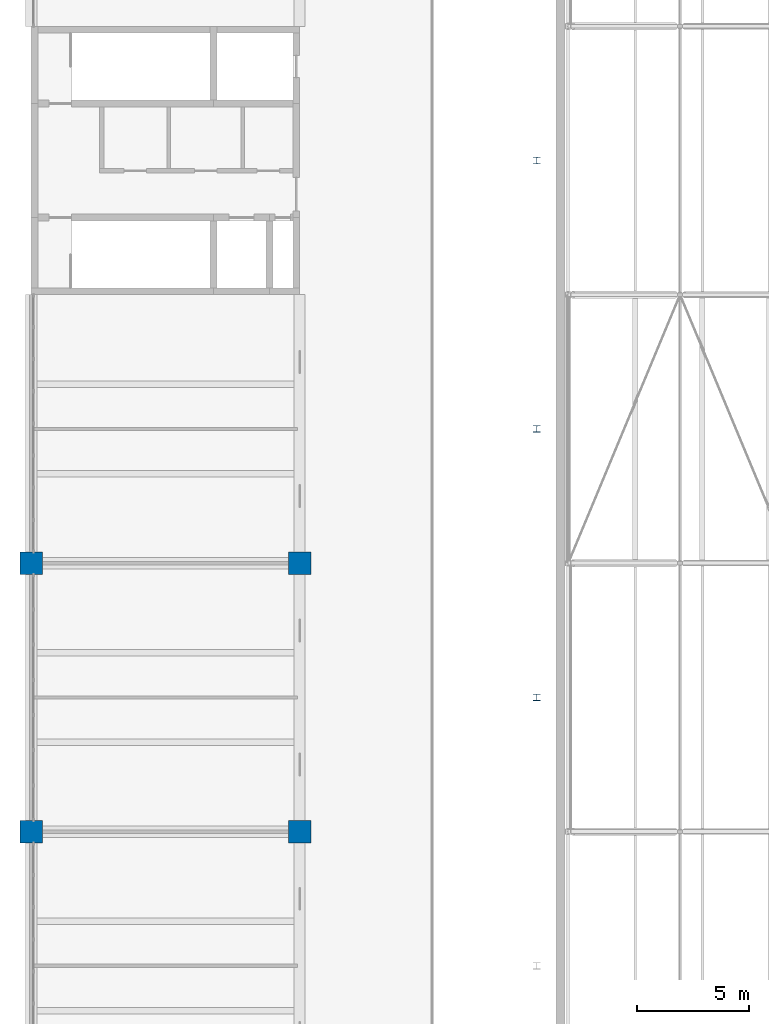
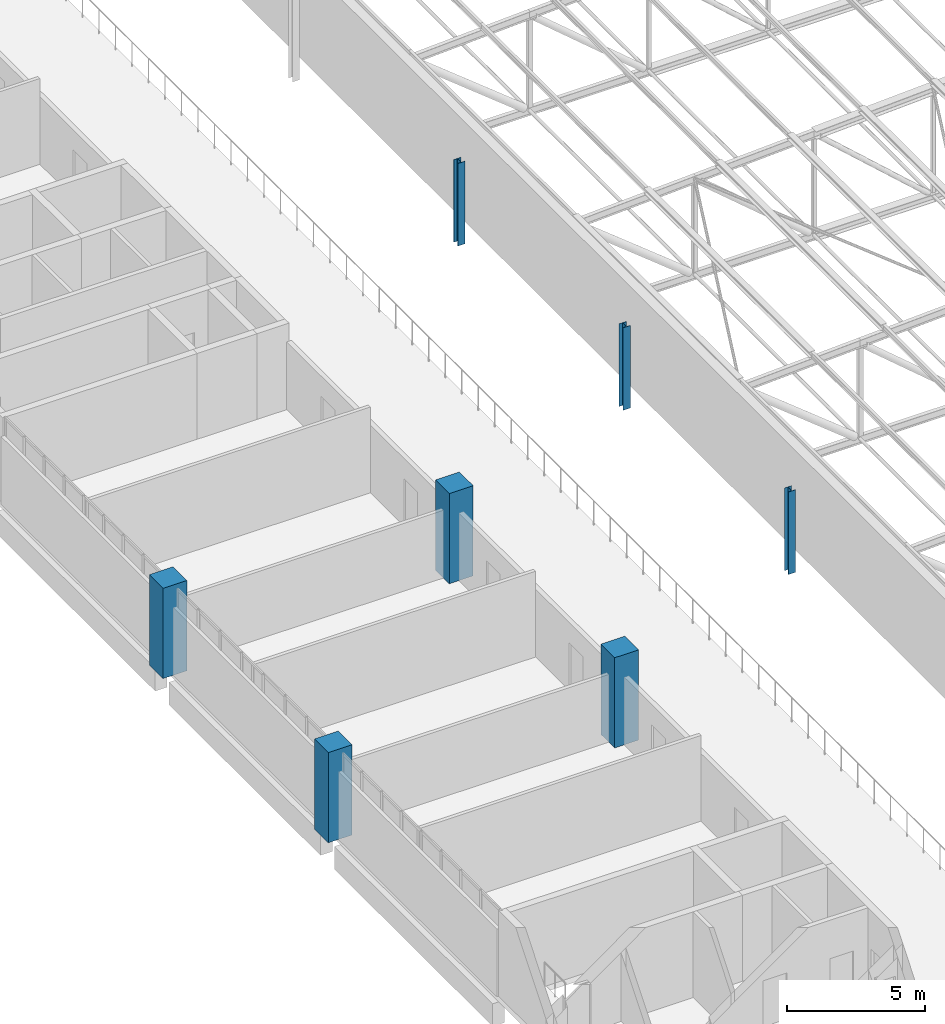
# One storey, part 2 of 156: 7 columns.
"""IFC4 building model written with IfcOpenShell, lengths in metres."""

from ifc_helpers import new_model, si_unit, direction, frame, origin, origin_2d, place, context, subcontext, project, spatial, rectangle, i_section, extrude, material, material_profile, profile_set, type_object, element, save


model = new_model("IFC4")

# Units and contexts
model_context = context("Model", 3, precision=1e-05, world=origin(), true_north=direction((0.0, 1.0)))
body_context = subcontext(model_context, "Body", "Model", "MODEL_VIEW")
ifc_project = project(units=[si_unit("LENGTHUNIT", "METRE"), si_unit("AREAUNIT", "SQUARE_METRE"), si_unit("VOLUMEUNIT", "CUBIC_METRE"), si_unit("PLANEANGLEUNIT", "RADIAN"), si_unit("MASSUNIT", "GRAM", prefix="KILO")], contexts=[model_context])

# Site, building, storey
site_placement = place(None, origin())
site = spatial("IfcSite", under=ifc_project, at=site_placement, CompositionType="ELEMENT")
building_placement = place(site_placement, origin())
building = spatial("IfcBuilding", under=site, at=building_placement, Name="Lilac Gate Convention Centre", CompositionType="ELEMENT")
storey_placement = place(building_placement, frame((0.0, 0.0, 17.0)))
storey = spatial("IfcBuildingStorey", under=building, at=storey_placement, Name="L03", CompositionType="ELEMENT", Elevation=17.0)

# Columns
ifc_material_1 = material(Name="Concrete C40", Category="concrete")
ifc_material_profile_1 = material_profile(ifc_material_1, rectangle(XDim=1.0, YDim=1.0, at=origin_2d()), Name="RC 1000x1000")
ifc_profile_set_1 = profile_set([ifc_material_profile_1], Name="Concrete C40")
column_type_1 = type_object("IfcColumnType", Name="RC column 1000x1000 C40", PredefinedType="COLUMN", material=ifc_profile_set_1)
for number, where, z_axis, x_axis, name in (
    (1, (6.0, 66.0, 0.0), (0.0, 0.0, 1.0), (1.0, 0.0, 0.0), "C1 L03 at 1/D"),
    (2, (6.0, 78.0, 0.0), (0.0, 0.0, 1.0), (1.0, 0.0, 0.0), "C1 L03 at 1/E"),
    (3, (18.0, 66.0, 0.0), (0.0, 0.0, 1.0), (1.0, 0.0, 0.0), "C1 L03 at 2/D"),
    (4, (18.0, 78.0, 0.0), (0.0, 0.0, 1.0), (1.0, 0.0, 0.0), "C1 L03 at 2/E"),
):
    element("IfcColumn", number, at=place(storey_placement, frame(where, z_axis=z_axis, x_axis=x_axis)), inside=storey, type_object=column_type_1, Name=name, PredefinedType="COLUMN", context=body_context, shape_type="SweptSolid", body=[
        extrude(rectangle(XDim=1.0, YDim=1.0, at=origin_2d()), origin(), (0.0, 0.0, 1.0), 4.0),
    ])
ifc_material_2 = material(Name="Steel Q355B", Category="steel")
ifc_material_profile_2 = material_profile(ifc_material_2, i_section(OverallWidth=0.300048828125, OverallDepth=0.300048828125, WebThickness=0.010009765625, FlangeThickness=0.014892578125, FilletRadius=0.012939453125, at=origin_2d()), Name="HW300x300x10x15")
ifc_profile_set_2 = profile_set([ifc_material_profile_2], Name="Steel Q355B")
column_type_2 = type_object("IfcColumnType", Name="Steel column HW300x300x10x15", PredefinedType="COLUMN", material=ifc_profile_set_2)
for number, where, z_axis, x_axis, name in (
    (5, (28.60009765625, 72.0, 0.0), (0.0, 0.0, 1.0), (1.0, 0.0, 0.0), "SC1 L03 atrium column at 72"),
    (6, (28.60009765625, 84.0, 0.0), (0.0, 0.0, 1.0), (1.0, 0.0, 0.0), "SC1 L03 atrium column at 84"),
    (7, (28.60009765625, 96.0, 0.0), (0.0, 0.0, 1.0), (1.0, 0.0, 0.0), "SC1 L03 atrium column at 96"),
):
    element("IfcColumn", number, at=place(storey_placement, frame(where, z_axis=z_axis, x_axis=x_axis)), inside=storey, type_object=column_type_2, Name=name, PredefinedType="COLUMN", context=body_context, shape_type="SweptSolid", body=[
        extrude(i_section(OverallWidth=0.300048828125, OverallDepth=0.300048828125, WebThickness=0.010009765625, FlangeThickness=0.014892578125, FilletRadius=0.012939453125, at=origin_2d()), origin(), (0.0, 0.0, 1.0), 3.659912109375),
    ])

save(model, "model.ifc")
